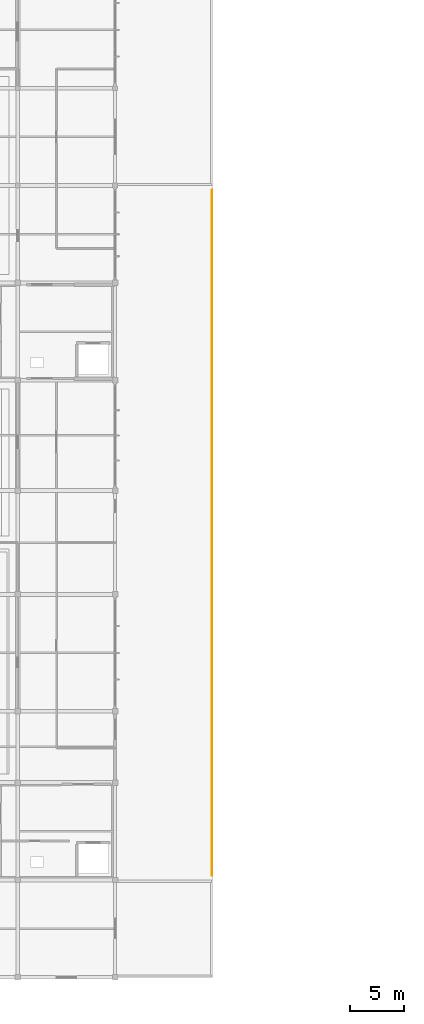
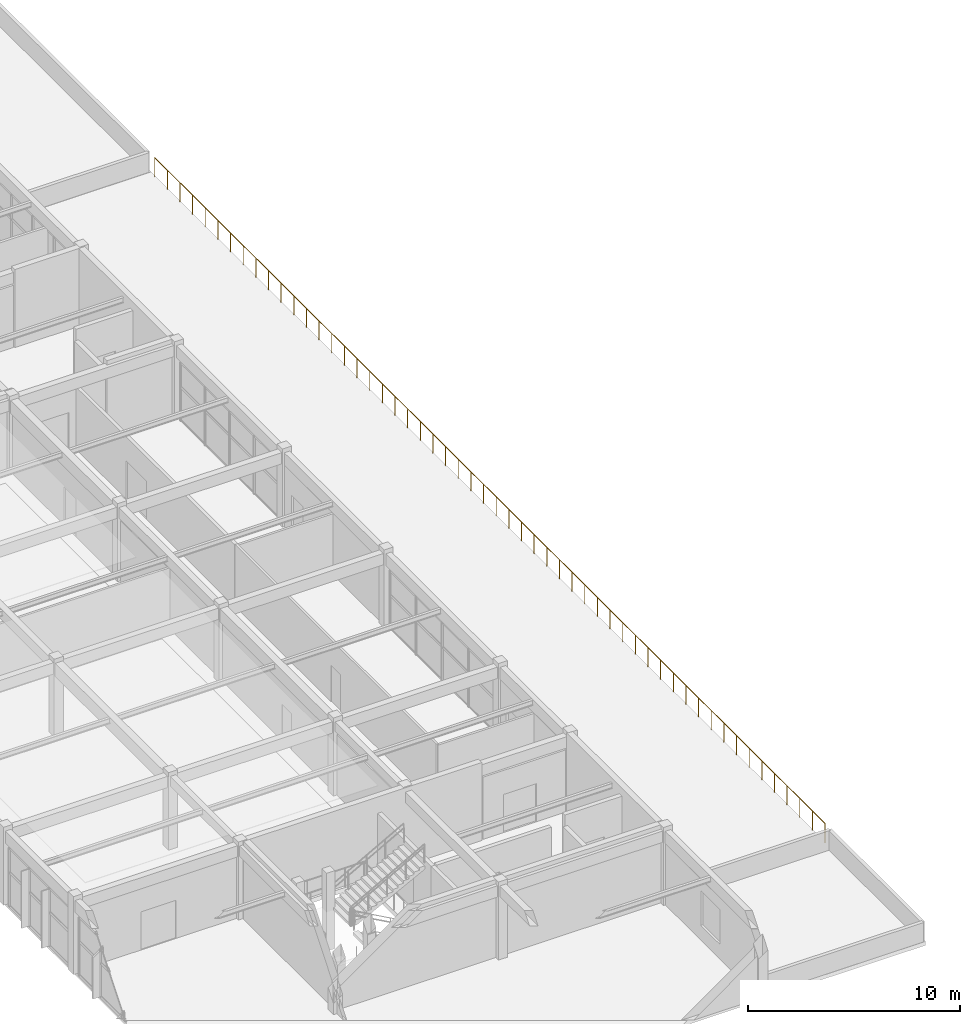
# One storey, part 20 of 22: 1 railing.
"""IFC4 building model written with IfcOpenShell, lengths in metres."""

from ifc_helpers import new_model, si_unit, direction, frame, origin, origin_2d, place, context, subcontext, project, spatial, circle, extrude, material, type_object, element, save


model = new_model("IFC4")

# Units and contexts
model_context = context("Model", 3, precision=1e-05, world=origin(), true_north=direction((0.0, 1.0)))
body_context = subcontext(model_context, "Body", "Model", "MODEL_VIEW")
ifc_project = project(units=[si_unit("LENGTHUNIT", "METRE"), si_unit("AREAUNIT", "SQUARE_METRE"), si_unit("VOLUMEUNIT", "CUBIC_METRE"), si_unit("PLANEANGLEUNIT", "RADIAN"), si_unit("MASSUNIT", "GRAM", prefix="KILO")], contexts=[model_context])

# Site, building, storey
site_placement = place(None, origin())
site = spatial("IfcSite", under=ifc_project, at=site_placement, CompositionType="ELEMENT")
building_placement = place(site_placement, origin())
building = spatial("IfcBuilding", under=site, at=building_placement, Name="Suirenkawa Promenade Aquatics Centre", CompositionType="ELEMENT")
storey_placement = place(building_placement, frame((0.0, 0.0, 14.10009765625)))
storey = spatial("IfcBuildingStorey", under=building, at=storey_placement, Name="L03", CompositionType="ELEMENT", Elevation=14.10009765625)

# Railing
ifc_material = material(Name="Marine-grade stainless steel Grade 316L", Category="steel")
railing_type = type_object("IfcRailingType", Name="RLT-BALUSTRADE-1120", PredefinedType="BALUSTRADE", material=ifc_material)
railing_placement = place(storey_placement, frame((35.9599609375, 13.6201171875, 0.0)))
element("IfcRailing", 1, at=railing_placement, inside=storey, type_object=railing_type, Name="Balustrade BAL-01 RL-0387", PredefinedType="BALUSTRADE", context=body_context, shape_type="SweptSolid", body=[
    extrude(circle(Radius=0.02392578125, at=origin_2d()), frame((0.0, 0.0, 1.09619140625), z_axis=(0.0, 1.0, 0.0), x_axis=(-1.0, 0.0, 0.0)), (0.0, 0.0, 1.0), 63.35986328125),
    extrude(circle(Radius=0.02099609375, at=origin_2d()), origin(), (0.0, 0.0, 1.0), 1.072021484375),
    extrude(circle(Radius=0.02099609375, at=origin_2d()), frame((0.0, 1.195556640625, 0.0)), (0.0, 0.0, 1.0), 1.072021484375),
    extrude(circle(Radius=0.02099609375, at=origin_2d()), frame((0.0, 2.390869140625, 0.0)), (0.0, 0.0, 1.0), 1.072021484375),
    extrude(circle(Radius=0.02099609375, at=origin_2d()), frame((0.0, 3.58642578125, 0.0)), (0.0, 0.0, 1.0), 1.072021484375),
    extrude(circle(Radius=0.02099609375, at=origin_2d()), frame((0.0, 4.781982421875, 0.0)), (0.0, 0.0, 1.0), 1.072021484375),
    extrude(circle(Radius=0.02099609375, at=origin_2d()), frame((0.0, 5.977294921875, 0.0)), (0.0, 0.0, 1.0), 1.072021484375),
    extrude(circle(Radius=0.02099609375, at=origin_2d()), frame((0.0, 7.1728515625, 0.0)), (0.0, 0.0, 1.0), 1.072021484375),
    extrude(circle(Radius=0.02099609375, at=origin_2d()), frame((0.0, 8.3681640625, 0.0)), (0.0, 0.0, 1.0), 1.072021484375),
    extrude(circle(Radius=0.02099609375, at=origin_2d()), frame((0.0, 9.563720703125, 0.0)), (0.0, 0.0, 1.0), 1.072021484375),
    extrude(circle(Radius=0.02099609375, at=origin_2d()), frame((0.0, 10.75927734375, 0.0)), (0.0, 0.0, 1.0), 1.072021484375),
    extrude(circle(Radius=0.02099609375, at=origin_2d()), frame((0.0, 11.95458984375, 0.0)), (0.0, 0.0, 1.0), 1.072021484375),
    extrude(circle(Radius=0.02099609375, at=origin_2d()), frame((0.0, 13.150146484375, 0.0)), (0.0, 0.0, 1.0), 1.072021484375),
    extrude(circle(Radius=0.02099609375, at=origin_2d()), frame((0.0, 14.345703125, 0.0)), (0.0, 0.0, 1.0), 1.072021484375),
    extrude(circle(Radius=0.02099609375, at=origin_2d()), frame((0.0, 15.541015625, 0.0)), (0.0, 0.0, 1.0), 1.072021484375),
    extrude(circle(Radius=0.02099609375, at=origin_2d()), frame((0.0, 16.736572265625, 0.0)), (0.0, 0.0, 1.0), 1.072021484375),
    extrude(circle(Radius=0.02099609375, at=origin_2d()), frame((0.0, 17.93212890625, 0.0)), (0.0, 0.0, 1.0), 1.072021484375),
    extrude(circle(Radius=0.02099609375, at=origin_2d()), frame((0.0, 19.12744140625, 0.0)), (0.0, 0.0, 1.0), 1.072021484375),
    extrude(circle(Radius=0.02099609375, at=origin_2d()), frame((0.0, 20.322998046875, 0.0)), (0.0, 0.0, 1.0), 1.072021484375),
    extrude(circle(Radius=0.02099609375, at=origin_2d()), frame((0.0, 21.5185546875, 0.0)), (0.0, 0.0, 1.0), 1.072021484375),
    extrude(circle(Radius=0.02099609375, at=origin_2d()), frame((0.0, 22.7138671875, 0.0)), (0.0, 0.0, 1.0), 1.072021484375),
    extrude(circle(Radius=0.02099609375, at=origin_2d()), frame((0.0, 23.909423828125, 0.0)), (0.0, 0.0, 1.0), 1.072021484375),
    extrude(circle(Radius=0.02099609375, at=origin_2d()), frame((0.0, 25.104736328125, 0.0)), (0.0, 0.0, 1.0), 1.072021484375),
    extrude(circle(Radius=0.02099609375, at=origin_2d()), frame((0.0, 26.30029296875, 0.0)), (0.0, 0.0, 1.0), 1.072021484375),
    extrude(circle(Radius=0.02099609375, at=origin_2d()), frame((0.0, 27.495849609375, 0.0)), (0.0, 0.0, 1.0), 1.072021484375),
    extrude(circle(Radius=0.02099609375, at=origin_2d()), frame((0.0, 28.691162109375, 0.0)), (0.0, 0.0, 1.0), 1.072021484375),
    extrude(circle(Radius=0.02099609375, at=origin_2d()), frame((0.0, 29.88671875, 0.0)), (0.0, 0.0, 1.0), 1.072021484375),
    extrude(circle(Radius=0.02099609375, at=origin_2d()), frame((0.0, 31.082275390625, 0.0)), (0.0, 0.0, 1.0), 1.072021484375),
    extrude(circle(Radius=0.02099609375, at=origin_2d()), frame((0.0, 32.277587890625, 0.0)), (0.0, 0.0, 1.0), 1.072021484375),
    extrude(circle(Radius=0.02099609375, at=origin_2d()), frame((0.0, 33.47314453125, 0.0)), (0.0, 0.0, 1.0), 1.072021484375),
    extrude(circle(Radius=0.02099609375, at=origin_2d()), frame((0.0, 34.668701171875, 0.0)), (0.0, 0.0, 1.0), 1.072021484375),
    extrude(circle(Radius=0.02099609375, at=origin_2d()), frame((0.0, 35.864013671875, 0.0)), (0.0, 0.0, 1.0), 1.072021484375),
    extrude(circle(Radius=0.02099609375, at=origin_2d()), frame((0.0, 37.0595703125, 0.0)), (0.0, 0.0, 1.0), 1.072021484375),
    extrude(circle(Radius=0.02099609375, at=origin_2d()), frame((0.0, 38.255126953125, 0.0)), (0.0, 0.0, 1.0), 1.072021484375),
    extrude(circle(Radius=0.02099609375, at=origin_2d()), frame((0.0, 39.450439453125, 0.0)), (0.0, 0.0, 1.0), 1.072021484375),
    extrude(circle(Radius=0.02099609375, at=origin_2d()), frame((0.0, 40.64599609375, 0.0)), (0.0, 0.0, 1.0), 1.072021484375),
    extrude(circle(Radius=0.02099609375, at=origin_2d()), frame((0.0, 41.84130859375, 0.0)), (0.0, 0.0, 1.0), 1.072021484375),
    extrude(circle(Radius=0.02099609375, at=origin_2d()), frame((0.0, 43.036865234375, 0.0)), (0.0, 0.0, 1.0), 1.072021484375),
    extrude(circle(Radius=0.02099609375, at=origin_2d()), frame((0.0, 44.232421875, 0.0)), (0.0, 0.0, 1.0), 1.072021484375),
    extrude(circle(Radius=0.02099609375, at=origin_2d()), frame((0.0, 45.427734375, 0.0)), (0.0, 0.0, 1.0), 1.072021484375),
    extrude(circle(Radius=0.02099609375, at=origin_2d()), frame((0.0, 46.623291015625, 0.0)), (0.0, 0.0, 1.0), 1.072021484375),
    extrude(circle(Radius=0.02099609375, at=origin_2d()), frame((0.0, 47.81884765625, 0.0)), (0.0, 0.0, 1.0), 1.072021484375),
    extrude(circle(Radius=0.02099609375, at=origin_2d()), frame((0.0, 49.01416015625, 0.0)), (0.0, 0.0, 1.0), 1.072021484375),
    extrude(circle(Radius=0.02099609375, at=origin_2d()), frame((0.0, 50.209716796875, 0.0)), (0.0, 0.0, 1.0), 1.072021484375),
    extrude(circle(Radius=0.02099609375, at=origin_2d()), frame((0.0, 51.4052734375, 0.0)), (0.0, 0.0, 1.0), 1.072021484375),
    extrude(circle(Radius=0.02099609375, at=origin_2d()), frame((0.0, 52.6005859375, 0.0)), (0.0, 0.0, 1.0), 1.072021484375),
    extrude(circle(Radius=0.02099609375, at=origin_2d()), frame((0.0, 53.796142578125, 0.0)), (0.0, 0.0, 1.0), 1.072021484375),
    extrude(circle(Radius=0.02099609375, at=origin_2d()), frame((0.0, 54.99169921875, 0.0)), (0.0, 0.0, 1.0), 1.072021484375),
    extrude(circle(Radius=0.02099609375, at=origin_2d()), frame((0.0, 56.18701171875, 0.0)), (0.0, 0.0, 1.0), 1.072021484375),
    extrude(circle(Radius=0.02099609375, at=origin_2d()), frame((0.0, 57.382568359375, 0.0)), (0.0, 0.0, 1.0), 1.072021484375),
    extrude(circle(Radius=0.02099609375, at=origin_2d()), frame((0.0, 58.577880859375, 0.0)), (0.0, 0.0, 1.0), 1.072021484375),
    extrude(circle(Radius=0.02099609375, at=origin_2d()), frame((0.0, 59.7734375, 0.0)), (0.0, 0.0, 1.0), 1.072021484375),
    extrude(circle(Radius=0.02099609375, at=origin_2d()), frame((0.0, 60.968994140625, 0.0)), (0.0, 0.0, 1.0), 1.072021484375),
    extrude(circle(Radius=0.02099609375, at=origin_2d()), frame((0.0, 62.164306640625, 0.0)), (0.0, 0.0, 1.0), 1.072021484375),
    extrude(circle(Radius=0.02099609375, at=origin_2d()), frame((0.0, 63.35986328125, 0.0)), (0.0, 0.0, 1.0), 1.072021484375),
])

save(model, "model.ifc")
